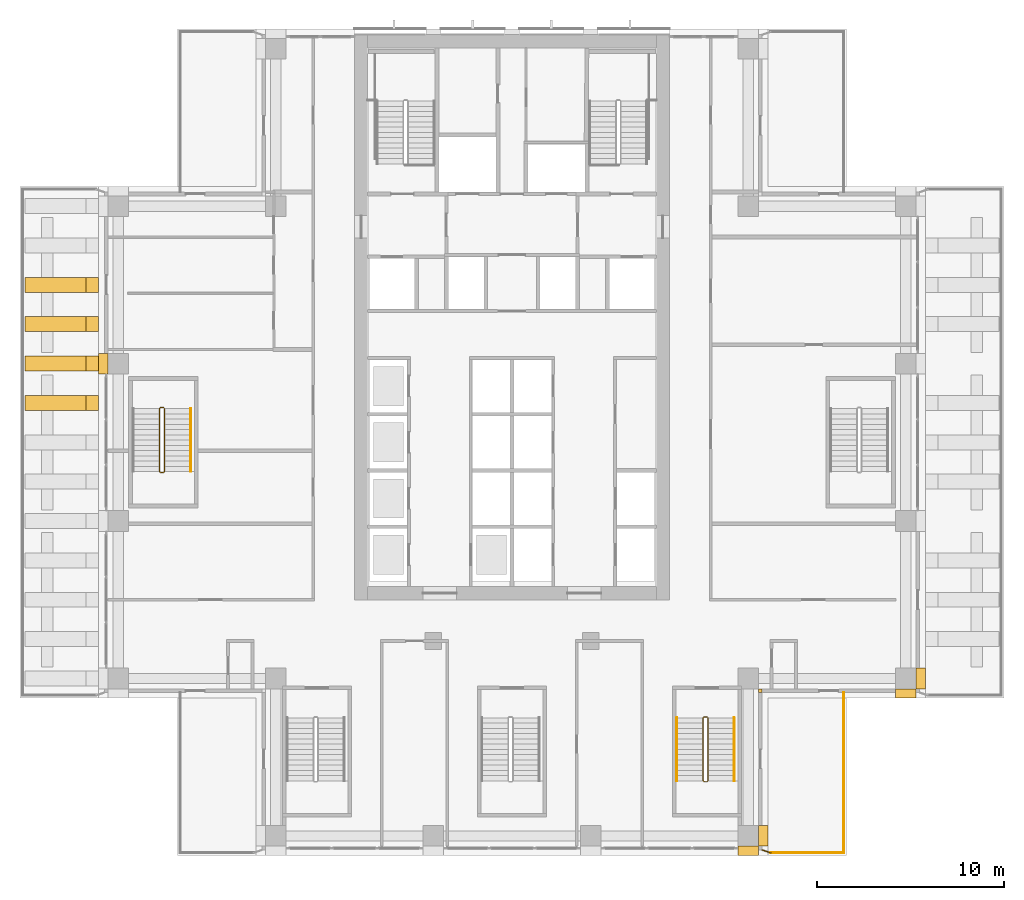
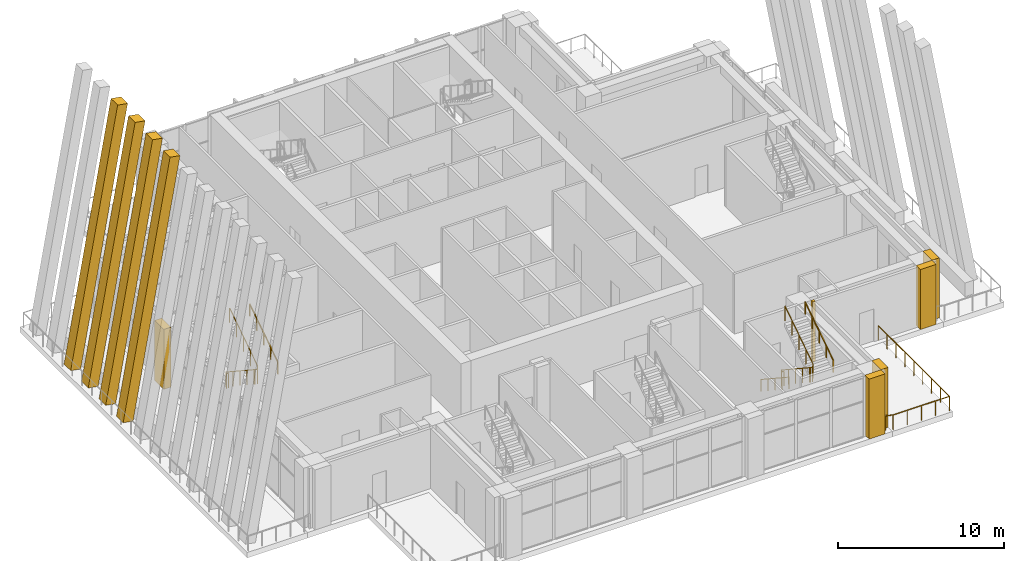
# One storey, part 15 of 19: 10 coverings, 8 railings.
"""IFC4 building model written with IfcOpenShell, lengths in metres."""

from ifc_helpers import new_model, si_unit, direction, frame, origin, origin_2d, place, context, subcontext, project, spatial, polyline, rectangle, outline, extrude, material, material_profile, profile_set, type_object, element, save


model = new_model("IFC4")

# Units and contexts
model_context = context("Model", 3, precision=1e-05, world=origin(), true_north=direction((0.0, 1.0)))
body_context = subcontext(model_context, "Body", "Model", "MODEL_VIEW")
ifc_project = project(units=[si_unit("LENGTHUNIT", "METRE"), si_unit("AREAUNIT", "SQUARE_METRE"), si_unit("VOLUMEUNIT", "CUBIC_METRE"), si_unit("PLANEANGLEUNIT", "RADIAN"), si_unit("MASSUNIT", "GRAM", prefix="KILO")], contexts=[model_context])

# Site, building, storey
site_placement = place(None, origin())
site = spatial("IfcSite", under=ifc_project, at=site_placement, CompositionType="ELEMENT")
building_placement = place(site_placement, origin())
building = spatial("IfcBuilding", under=site, at=building_placement, Name="Vermilion Ogive Tower", CompositionType="ELEMENT")
storey_placement = place(building_placement, frame((0.0, 0.0, 128.300048828125)))
storey = spatial("IfcBuildingStorey", under=building, at=storey_placement, Name="L32", CompositionType="ELEMENT", Elevation=128.300048828125)

# Railings
ifc_material_1 = material(Name="Steel S355 painted", Category="steel")
railing_type_1 = type_object("IfcRailingType", Name="Stair guard 1100", PredefinedType="GUARDRAIL", material=ifc_material_1)
railing_1_placement = place(storey_placement, frame((10.39990234375, -14.64990234375, 0.0)))
element("IfcRailing", 1, at=railing_1_placement, inside=storey, type_object=railing_type_1, Name="L32 ST5 stair guard 4", PredefinedType="GUARDRAIL", context=body_context, shape_type="SweptSolid", body=[
    extrude(rectangle(XDim=0.048095703125, YDim=0.048095703125, at=origin_2d()), frame((0.0, 0.0, 1.076171875), z_axis=(-1.0, 0.0, 0.0), x_axis=(0.0, -1.0, 0.0)), (0.0, 0.0, 1.0), 0.14990234375),
    extrude(rectangle(XDim=0.048095703125, YDim=0.048095703125, at=origin_2d()), frame((-0.14990234375, 0.0, 1.076171875), z_axis=(-0.253185614162, -0.253185614162, 0.933699142959), x_axis=(0.707106781187, -0.707106781187, 0.0)), (0.0, 0.0, 1.0), 0.19775390625),
    extrude(rectangle(XDim=0.048095703125, YDim=0.048095703125, at=origin_2d()), frame((-0.199951171875, -0.050048828125, 1.2607421875), z_axis=(0.0, -0.834876476806, 0.550437342915), x_axis=(1.0, 0.0, 0.0)), (0.0, 0.0, 1.0), 4.024658203125),
    extrude(rectangle(XDim=0.048095703125, YDim=0.048095703125, at=origin_2d()), frame((-0.199951171875, -3.41015625, 3.47607421875), z_axis=(0.707106781187, -0.707106781187, 0.0), x_axis=(0.707106781187, 0.707106781187, 0.0)), (0.0, 0.0, 1.0), 0.07080078125),
    extrude(rectangle(XDim=0.048095703125, YDim=0.048095703125, at=origin_2d()), frame((-0.14990234375, -3.460205078125, 3.47607421875), z_axis=(1.0, 0.0, 0.0), x_axis=(0.0, 1.0, 0.0)), (0.0, 0.0, 1.0), 0.14990234375),
    extrude(rectangle(XDim=0.048095703125, YDim=0.048095703125, at=origin_2d()), frame((0.0, -3.460205078125, 3.47607421875), z_axis=(0.253185614162, 0.253185614162, 0.933699142959), x_axis=(-0.707106781187, 0.707106781187, 0.0)), (0.0, 0.0, 1.0), 0.19775390625),
    extrude(rectangle(XDim=0.048095703125, YDim=0.048095703125, at=origin_2d()), frame((0.050048828125, -3.41015625, 3.66064453125), z_axis=(0.0, 0.834848600103, 0.550479622607), x_axis=(-1.0, 0.0, 0.0)), (0.0, 0.0, 1.0), 4.02490234375),
    extrude(rectangle(XDim=0.0419921875, YDim=0.0419921875, at=origin_2d()), origin(), (0.0, 0.0, 1.0), 1.052001953125),
    extrude(rectangle(XDim=0.0419921875, YDim=0.0419921875, at=origin_2d()), frame((-0.14990234375, 0.0, 0.0)), (0.0, 0.0, 1.0), 1.052001953125),
    extrude(rectangle(XDim=0.0419921875, YDim=0.0419921875, at=origin_2d()), frame((-0.199951171875, -0.050048828125, 0.1845703125)), (0.0, 0.0, 1.0), 1.052001953125),
    extrude(rectangle(XDim=0.0419921875, YDim=0.0419921875, at=origin_2d()), frame((-0.199951171875, -0.89013671875, 0.73828125)), (0.0, 0.0, 1.0), 1.052001953125),
    extrude(rectangle(XDim=0.0419921875, YDim=0.0419921875, at=origin_2d()), frame((-0.199951171875, -1.72998046875, 1.292236328125)), (0.0, 0.0, 1.0), 1.052001953125),
    extrude(rectangle(XDim=0.0419921875, YDim=0.0419921875, at=origin_2d()), frame((-0.199951171875, -2.570068359375, 1.84619140625)), (0.0, 0.0, 1.0), 1.052001953125),
    extrude(rectangle(XDim=0.0419921875, YDim=0.0419921875, at=origin_2d()), frame((-0.199951171875, -3.41015625, 2.39990234375)), (0.0, 0.0, 1.0), 1.052001953125),
    extrude(rectangle(XDim=0.0419921875, YDim=0.0419921875, at=origin_2d()), frame((-0.14990234375, -3.460205078125, 2.39990234375)), (0.0, 0.0, 1.0), 1.052001953125),
    extrude(rectangle(XDim=0.0419921875, YDim=0.0419921875, at=origin_2d()), frame((0.0, -3.460205078125, 2.39990234375)), (0.0, 0.0, 1.0), 1.052001953125),
    extrude(rectangle(XDim=0.0419921875, YDim=0.0419921875, at=origin_2d()), frame((0.050048828125, -3.41015625, 2.58447265625)), (0.0, 0.0, 1.0), 1.052001953125),
    extrude(rectangle(XDim=0.0419921875, YDim=0.0419921875, at=origin_2d()), frame((0.050048828125, -2.570068359375, 3.138427734375)), (0.0, 0.0, 1.0), 1.052001953125),
    extrude(rectangle(XDim=0.0419921875, YDim=0.0419921875, at=origin_2d()), frame((0.050048828125, -1.72998046875, 3.6923828125)), (0.0, 0.0, 1.0), 1.052001953125),
    extrude(rectangle(XDim=0.0419921875, YDim=0.0419921875, at=origin_2d()), frame((0.050048828125, -0.89013671875, 4.24609375)), (0.0, 0.0, 1.0), 1.052001953125),
    extrude(rectangle(XDim=0.0419921875, YDim=0.0419921875, at=origin_2d()), frame((0.050048828125, -0.050048828125, 4.800048828125)), (0.0, 0.0, 1.0), 1.052001953125),
])
railing_2_placement = place(storey_placement, frame((-18.60009765625, 1.85009765625, 0.0)))
element("IfcRailing", 2, at=railing_2_placement, inside=storey, type_object=railing_type_1, Name="L32 ST9 stair guard 4", PredefinedType="GUARDRAIL", context=body_context, shape_type="SweptSolid", body=[
    extrude(rectangle(XDim=0.048095703125, YDim=0.048095703125, at=origin_2d()), frame((0.0, 0.0, 1.076171875), z_axis=(-1.0, 0.0, 0.0), x_axis=(0.0, -1.0, 0.0)), (0.0, 0.0, 1.0), 0.14990234375),
    extrude(rectangle(XDim=0.048095703125, YDim=0.048095703125, at=origin_2d()), frame((-0.14990234375, 0.0, 1.076171875), z_axis=(-0.253185614162, -0.253185614162, 0.933699142959), x_axis=(0.707106781187, -0.707106781187, 0.0)), (0.0, 0.0, 1.0), 0.19775390625),
    extrude(rectangle(XDim=0.048095703125, YDim=0.048095703125, at=origin_2d()), frame((-0.199951171875, -0.050048828125, 1.2607421875), z_axis=(0.0, -0.834876476806, 0.550437342915), x_axis=(1.0, 0.0, 0.0)), (0.0, 0.0, 1.0), 4.024658203125),
    extrude(rectangle(XDim=0.048095703125, YDim=0.048095703125, at=origin_2d()), frame((-0.199951171875, -3.41015625, 3.47607421875), z_axis=(0.707106781187, -0.707106781187, 0.0), x_axis=(0.707106781187, 0.707106781187, 0.0)), (0.0, 0.0, 1.0), 0.07080078125),
    extrude(rectangle(XDim=0.048095703125, YDim=0.048095703125, at=origin_2d()), frame((-0.14990234375, -3.460205078125, 3.47607421875), z_axis=(1.0, 0.0, 0.0), x_axis=(0.0, 1.0, 0.0)), (0.0, 0.0, 1.0), 0.14990234375),
    extrude(rectangle(XDim=0.048095703125, YDim=0.048095703125, at=origin_2d()), frame((0.0, -3.460205078125, 3.47607421875), z_axis=(0.253185614162, 0.253185614162, 0.933699142959), x_axis=(-0.707106781187, 0.707106781187, 0.0)), (0.0, 0.0, 1.0), 0.19775390625),
    extrude(rectangle(XDim=0.048095703125, YDim=0.048095703125, at=origin_2d()), frame((0.050048828125, -3.41015625, 3.66064453125), z_axis=(0.0, 0.834848600103, 0.550479622607), x_axis=(-1.0, 0.0, 0.0)), (0.0, 0.0, 1.0), 4.02490234375),
    extrude(rectangle(XDim=0.0419921875, YDim=0.0419921875, at=origin_2d()), origin(), (0.0, 0.0, 1.0), 1.052001953125),
    extrude(rectangle(XDim=0.0419921875, YDim=0.0419921875, at=origin_2d()), frame((-0.14990234375, 0.0, 0.0)), (0.0, 0.0, 1.0), 1.052001953125),
    extrude(rectangle(XDim=0.0419921875, YDim=0.0419921875, at=origin_2d()), frame((-0.199951171875, -0.050048828125, 0.1845703125)), (0.0, 0.0, 1.0), 1.052001953125),
    extrude(rectangle(XDim=0.0419921875, YDim=0.0419921875, at=origin_2d()), frame((-0.199951171875, -0.89013671875, 0.73828125)), (0.0, 0.0, 1.0), 1.052001953125),
    extrude(rectangle(XDim=0.0419921875, YDim=0.0419921875, at=origin_2d()), frame((-0.199951171875, -1.72998046875, 1.292236328125)), (0.0, 0.0, 1.0), 1.052001953125),
    extrude(rectangle(XDim=0.0419921875, YDim=0.0419921875, at=origin_2d()), frame((-0.199951171875, -2.570068359375, 1.84619140625)), (0.0, 0.0, 1.0), 1.052001953125),
    extrude(rectangle(XDim=0.0419921875, YDim=0.0419921875, at=origin_2d()), frame((-0.199951171875, -3.41015625, 2.39990234375)), (0.0, 0.0, 1.0), 1.052001953125),
    extrude(rectangle(XDim=0.0419921875, YDim=0.0419921875, at=origin_2d()), frame((-0.14990234375, -3.460205078125, 2.39990234375)), (0.0, 0.0, 1.0), 1.052001953125),
    extrude(rectangle(XDim=0.0419921875, YDim=0.0419921875, at=origin_2d()), frame((0.0, -3.460205078125, 2.39990234375)), (0.0, 0.0, 1.0), 1.052001953125),
    extrude(rectangle(XDim=0.0419921875, YDim=0.0419921875, at=origin_2d()), frame((0.050048828125, -3.41015625, 2.58447265625)), (0.0, 0.0, 1.0), 1.052001953125),
    extrude(rectangle(XDim=0.0419921875, YDim=0.0419921875, at=origin_2d()), frame((0.050048828125, -2.570068359375, 3.138427734375)), (0.0, 0.0, 1.0), 1.052001953125),
    extrude(rectangle(XDim=0.0419921875, YDim=0.0419921875, at=origin_2d()), frame((0.050048828125, -1.72998046875, 3.6923828125)), (0.0, 0.0, 1.0), 1.052001953125),
    extrude(rectangle(XDim=0.0419921875, YDim=0.0419921875, at=origin_2d()), frame((0.050048828125, -0.89013671875, 4.24609375)), (0.0, 0.0, 1.0), 1.052001953125),
    extrude(rectangle(XDim=0.0419921875, YDim=0.0419921875, at=origin_2d()), frame((0.050048828125, -0.050048828125, 4.800048828125)), (0.0, 0.0, 1.0), 1.052001953125),
])
ifc_material_2 = material(Name="Stainless steel", Category="steel")
railing_type_2 = type_object("IfcRailingType", Name="Stair handrail 900", PredefinedType="HANDRAIL", material=ifc_material_2)
railing_3_placement = place(storey_placement, frame((8.800048828125, -14.699951171875, 0.1845703125)))
element("IfcRailing", 3, at=railing_3_placement, inside=storey, type_object=railing_type_2, Name="L32 ST5 stair handrail 1", PredefinedType="HANDRAIL", context=body_context, shape_type="SweptSolid", body=[
    extrude(rectangle(XDim=0.048095703125, YDim=0.048095703125, at=origin_2d()), frame((0.0, 0.0, 0.8759765625), z_axis=(0.0, -0.834876476806, 0.550437342915), x_axis=(1.0, 0.0, 0.0)), (0.0, 0.0, 1.0), 4.024658203125),
    extrude(rectangle(XDim=0.0419921875, YDim=0.0419921875, at=origin_2d()), origin(), (0.0, 0.0, 1.0), 0.851806640625),
    extrude(rectangle(XDim=0.0419921875, YDim=0.0419921875, at=origin_2d()), frame((0.0, -0.840087890625, 0.5537109375)), (0.0, 0.0, 1.0), 0.851806640625),
    extrude(rectangle(XDim=0.0419921875, YDim=0.0419921875, at=origin_2d()), frame((0.0, -1.68017578125, 1.107666015625)), (0.0, 0.0, 1.0), 0.851806640625),
    extrude(rectangle(XDim=0.0419921875, YDim=0.0419921875, at=origin_2d()), frame((0.0, -2.52001953125, 1.66162109375)), (0.0, 0.0, 1.0), 0.851806640625),
    extrude(rectangle(XDim=0.0419921875, YDim=0.0419921875, at=origin_2d()), frame((0.0, -3.360107421875, 2.21533203125)), (0.0, 0.0, 1.0), 0.851806640625),
])
for number, where, name in (
    (4, (11.85009765625, -18.06005859375, 2.58447265625), "L32 ST5 stair handrail 2"),
    (5, (-17.14990234375, -1.56005859375, 2.58447265625), "L32 ST9 stair handrail 2"),
):
    element("IfcRailing", number, at=place(storey_placement, frame(where)), inside=storey, type_object=railing_type_2, Name=name, PredefinedType="HANDRAIL", context=body_context, shape_type="SweptSolid", body=[
        extrude(rectangle(XDim=0.048095703125, YDim=0.048095703125, at=origin_2d()), frame((0.0, 0.0, 0.8759765625), z_axis=(0.0, 0.834848600103, 0.550479622607), x_axis=(-1.0, 0.0, 0.0)), (0.0, 0.0, 1.0), 4.02490234375),
        extrude(rectangle(XDim=0.0419921875, YDim=0.0419921875, at=origin_2d()), origin(), (0.0, 0.0, 1.0), 0.851806640625),
        extrude(rectangle(XDim=0.0419921875, YDim=0.0419921875, at=origin_2d()), frame((0.0, 0.840087890625, 0.553955078125)), (0.0, 0.0, 1.0), 0.851806640625),
        extrude(rectangle(XDim=0.0419921875, YDim=0.0419921875, at=origin_2d()), frame((0.0, 1.68017578125, 1.10791015625)), (0.0, 0.0, 1.0), 0.851806640625),
        extrude(rectangle(XDim=0.0419921875, YDim=0.0419921875, at=origin_2d()), frame((0.0, 2.52001953125, 1.66162109375)), (0.0, 0.0, 1.0), 0.851806640625),
        extrude(rectangle(XDim=0.0419921875, YDim=0.0419921875, at=origin_2d()), frame((0.0, 3.360107421875, 2.215576171875)), (0.0, 0.0, 1.0), 0.851806640625),
    ])

# Coverings
ifc_material_3 = material(Name="Stone cladding", Category="masonry")
ifc_material_profile = material_profile(ifc_material_3, rectangle(XDim=0.800048828125, YDim=0.699951171875, at=origin_2d()), Name="STONE 800x700")
ifc_profile_set = profile_set([ifc_material_profile], Name="Stone cladding")
covering_type_1 = type_object("IfcCoveringType", Name="Stone flare fin", PredefinedType="CLADDING", material=ifc_profile_set)
for number, where, z_axis, x_axis, name in (
    (6, (-25.64990234375, 2.10009765625, 0.06103515625), (0.174779768693, 0.0, 0.984607552508), (0.0, 1.0, 0.0), "Stone flare fin WL08"),
    (7, (-25.64990234375, 4.199951171875, 0.06103515625), (0.174779768693, 0.0, 0.984607552508), (0.0, 1.0, 0.0), "Stone flare fin WL09"),
    (8, (-25.64990234375, 6.300048828125, 0.06103515625), (0.174779768693, 0.0, 0.984607552508), (0.0, 1.0, 0.0), "Stone flare fin WL10"),
    (9, (-25.64990234375, 8.39990234375, 0.06103515625), (0.174779768693, 0.0, 0.984607552508), (0.0, 1.0, 0.0), "Stone flare fin WL11"),
):
    element("IfcCovering", number, at=place(storey_placement, frame(where, z_axis=z_axis, x_axis=x_axis)), inside=storey, type_object=covering_type_1, Name=name, PredefinedType="CLADDING", context=body_context, shape_type="SweptSolid", body=[
        extrude(rectangle(XDim=0.800048828125, YDim=0.699951171875, at=origin_2d()), origin(), (0.0, 0.0, 1.0), 18.62548828125),
    ])
ifc_material_4 = material(Name="Stone cladding", Category="masonry")
covering_type_2 = type_object("IfcCoveringType", Name="Stone pier", PredefinedType="CLADDING", material=ifc_material_4)
covering_1_placement = place(storey_placement, origin())
element("IfcCovering", 10, at=covering_1_placement, inside=storey, type_object=covering_type_2, Name="Stone pier P+0126-210S", PredefinedType="CLADDING", context=body_context, shape_type="SweptSolid", body=[
    extrude(outline(polyline([(13.14990234375, -22.050048828125), (12.050048828125, -22.050048828125), (12.050048828125, -21.550048828125), (13.14990234375, -21.550048828125), (13.14990234375, -22.050048828125)])), origin(), (0.0, 0.0, 1.0), 4.39990234375),
])
covering_2_placement = place(storey_placement, origin())
element("IfcCovering", 11, at=covering_2_placement, inside=storey, type_object=covering_type_2, Name="Stone pier P+0126-210X1", PredefinedType="CLADDING", context=body_context, shape_type="SweptSolid", body=[
    extrude(outline(polyline([(13.64990234375, -21.550048828125), (13.14990234375, -21.550048828125), (13.14990234375, -20.449951171875), (13.64990234375, -20.449951171875), (13.64990234375, -21.550048828125)])), origin(), (0.0, 0.0, 1.0), 4.39990234375),
])
covering_3_placement = place(storey_placement, origin())
element("IfcCovering", 12, at=covering_3_placement, inside=storey, type_object=covering_type_2, Name="Stone pier P+0210-126X2", PredefinedType="CLADDING", context=body_context, shape_type="SweptSolid", body=[
    extrude(outline(polyline([(21.550048828125, -13.64990234375), (20.449951171875, -13.64990234375), (20.449951171875, -13.14990234375), (21.550048828125, -13.14990234375), (21.550048828125, -13.64990234375)])), origin(), (0.0, 0.0, 1.0), 4.39990234375),
])
covering_4_placement = place(storey_placement, origin())
element("IfcCovering", 13, at=covering_4_placement, inside=storey, type_object=covering_type_2, Name="Stone pier P+0210-126E", PredefinedType="CLADDING", context=body_context, shape_type="SweptSolid", body=[
    extrude(outline(polyline([(22.050048828125, -13.14990234375), (21.550048828125, -13.14990234375), (21.550048828125, -12.050048828125), (22.050048828125, -12.050048828125), (22.050048828125, -13.14990234375)])), origin(), (0.0, 0.0, 1.0), 4.39990234375),
])
covering_5_placement = place(storey_placement, origin())
element("IfcCovering", 14, at=covering_5_placement, inside=storey, type_object=covering_type_2, Name="Stone pier P-0210+042", PredefinedType="CLADDING", context=body_context, shape_type="SweptSolid", body=[
    extrude(outline(polyline([(-21.550048828125, 3.64990234375), (-22.050048828125, 3.64990234375), (-22.050048828125, 4.75), (-21.550048828125, 4.75), (-21.550048828125, 4.75), (-21.550048828125, 3.64990234375)])), origin(), (0.0, 0.0, 1.0), 4.39990234375),
])
covering_6_placement = place(storey_placement, origin())
element("IfcCovering", 15, at=covering_6_placement, inside=storey, type_object=covering_type_2, Name="Stone corner pier X1E1", PredefinedType="CLADDING", context=body_context, shape_type="SweptSolid", body=[
    extrude(outline(polyline([(13.14990234375, -13.14990234375), (13.35009765625, -13.14990234375), (13.35009765625, -13.35009765625), (13.14990234375, -13.35009765625), (13.14990234375, -13.14990234375)])), origin(), (0.0, 0.0, 1.0), 4.39990234375),
])

# Railings
ifc_material_5 = material(Name="Stainless steel and glass", Category="steel")
railing_type_3 = type_object("IfcRailingType", Name="Terrace guard", PredefinedType="GUARDRAIL", material=ifc_material_5)
railing_4_placement = place(storey_placement, frame((17.699951171875, -13.35009765625, 0.0)))
element("IfcRailing", 16, at=railing_4_placement, inside=storey, type_object=railing_type_3, Name="Terrace guard 6.1", PredefinedType="GUARDRAIL", context=body_context, shape_type="SweptSolid", body=[
    extrude(rectangle(XDim=0.048095703125, YDim=0.048095703125, at=origin_2d()), frame((0.0, 0.0, 1.076171875), z_axis=(0.0, -1.0, 0.0), x_axis=(1.0, 0.0, 0.0)), (0.0, 0.0, 1.0), 8.5498046875),
    extrude(rectangle(XDim=0.0419921875, YDim=0.0419921875, at=origin_2d()), origin(), (0.0, 0.0, 1.0), 1.052001953125),
    extrude(rectangle(XDim=0.0419921875, YDim=0.0419921875, at=origin_2d()), frame((0.0, -1.06884765625, 0.0)), (0.0, 0.0, 1.0), 1.052001953125),
    extrude(rectangle(XDim=0.0419921875, YDim=0.0419921875, at=origin_2d()), frame((0.0, -2.137451171875, 0.0)), (0.0, 0.0, 1.0), 1.052001953125),
    extrude(rectangle(XDim=0.0419921875, YDim=0.0419921875, at=origin_2d()), frame((0.0, -3.2060546875, 0.0)), (0.0, 0.0, 1.0), 1.052001953125),
    extrude(rectangle(XDim=0.0419921875, YDim=0.0419921875, at=origin_2d()), frame((0.0, -4.27490234375, 0.0)), (0.0, 0.0, 1.0), 1.052001953125),
    extrude(rectangle(XDim=0.0419921875, YDim=0.0419921875, at=origin_2d()), frame((0.0, -5.34375, 0.0)), (0.0, 0.0, 1.0), 1.052001953125),
    extrude(rectangle(XDim=0.0419921875, YDim=0.0419921875, at=origin_2d()), frame((0.0, -6.412353515625, 0.0)), (0.0, 0.0, 1.0), 1.052001953125),
    extrude(rectangle(XDim=0.0419921875, YDim=0.0419921875, at=origin_2d()), frame((0.0, -7.48095703125, 0.0)), (0.0, 0.0, 1.0), 1.052001953125),
    extrude(rectangle(XDim=0.0419921875, YDim=0.0419921875, at=origin_2d()), frame((0.0, -8.5498046875, 0.0)), (0.0, 0.0, 1.0), 1.052001953125),
])
railing_5_placement = place(storey_placement, frame((17.699951171875, -21.89990234375, 0.0)))
element("IfcRailing", 17, at=railing_5_placement, inside=storey, type_object=railing_type_3, Name="Terrace guard 6.1.2", PredefinedType="GUARDRAIL", context=body_context, shape_type="SweptSolid", body=[
    extrude(rectangle(XDim=0.048095703125, YDim=0.048095703125, at=origin_2d()), frame((0.0, 0.0, 1.076171875), z_axis=(-1.0, 0.0, 0.0), x_axis=(0.0, -1.0, 0.0)), (0.0, 0.0, 1.0), 3.89990234375),
    extrude(rectangle(XDim=0.0419921875, YDim=0.0419921875, at=origin_2d()), origin(), (0.0, 0.0, 1.0), 1.052001953125),
    extrude(rectangle(XDim=0.0419921875, YDim=0.0419921875, at=origin_2d()), frame((-0.97509765625, 0.0, 0.0)), (0.0, 0.0, 1.0), 1.052001953125),
    extrude(rectangle(XDim=0.0419921875, YDim=0.0419921875, at=origin_2d()), frame((-1.949951171875, 0.0, 0.0)), (0.0, 0.0, 1.0), 1.052001953125),
    extrude(rectangle(XDim=0.0419921875, YDim=0.0419921875, at=origin_2d()), frame((-2.9248046875, 0.0, 0.0)), (0.0, 0.0, 1.0), 1.052001953125),
    extrude(rectangle(XDim=0.0419921875, YDim=0.0419921875, at=origin_2d()), frame((-3.89990234375, 0.0, 0.0)), (0.0, 0.0, 1.0), 1.052001953125),
])
railing_6_placement = place(storey_placement, frame((13.800048828125, -21.89990234375, 0.0)))
element("IfcRailing", 18, at=railing_6_placement, inside=storey, type_object=railing_type_3, Name="Terrace guard 6.1.3", PredefinedType="GUARDRAIL", context=body_context, shape_type="SweptSolid", body=[
    extrude(rectangle(XDim=0.048095703125, YDim=0.048095703125, at=origin_2d()), frame((0.0, 0.0, 1.076171875), z_axis=(-0.948734763221, 0.316073328604, 0.0), x_axis=(-0.316073328604, -0.948734763221, 0.0)), (0.0, 0.0, 1.0), 0.474365234375),
    extrude(rectangle(XDim=0.0419921875, YDim=0.0419921875, at=origin_2d()), origin(), (0.0, 0.0, 1.0), 1.052001953125),
    extrude(rectangle(XDim=0.0419921875, YDim=0.0419921875, at=origin_2d()), frame((-0.449951171875, 0.14990234375, 0.0)), (0.0, 0.0, 1.0), 1.052001953125),
])

save(model, "model.ifc")
